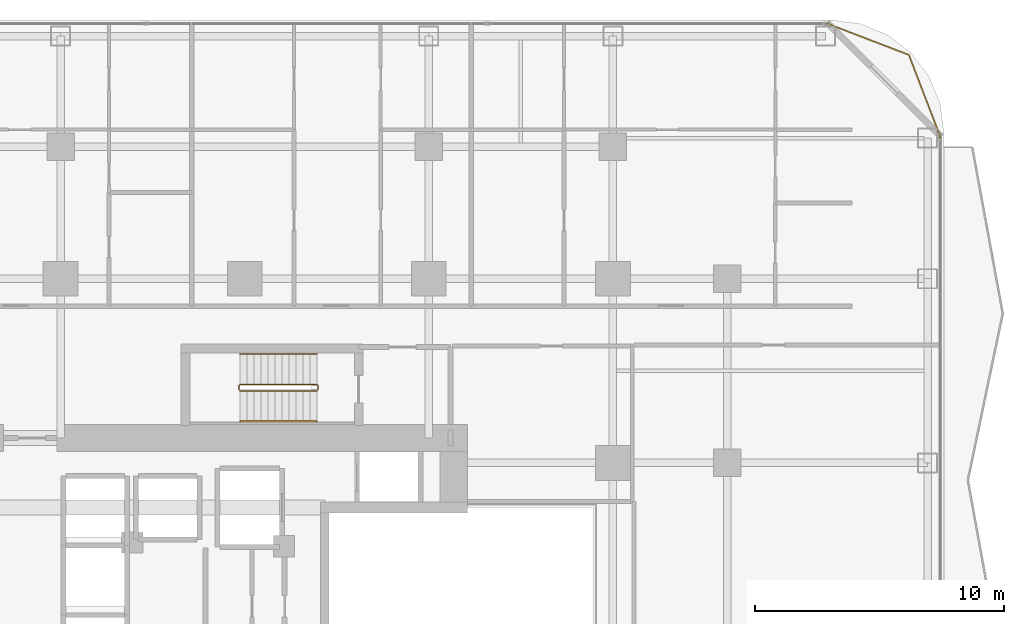
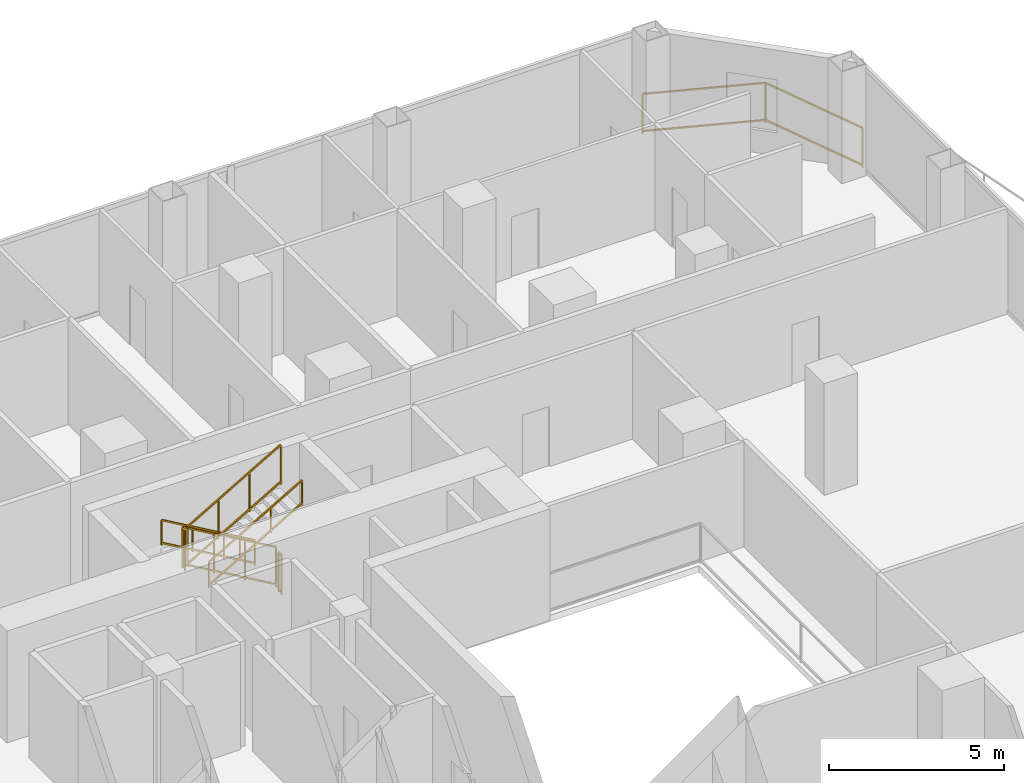
# One storey, part 28 of 28: 7 railings.
"""IFC4 building model written with IfcOpenShell, lengths in metres."""

from ifc_helpers import new_model, si_unit, direction, frame, origin, origin_2d, place, context, subcontext, project, spatial, rectangle, extrude, material, type_object, element, save


model = new_model("IFC4")

# Units and contexts
model_context = context("Model", 3, precision=1e-05, world=origin(), true_north=direction((0.0, 1.0)))
body_context = subcontext(model_context, "Body", "Model", "MODEL_VIEW")
ifc_project = project(units=[si_unit("LENGTHUNIT", "METRE"), si_unit("AREAUNIT", "SQUARE_METRE"), si_unit("VOLUMEUNIT", "CUBIC_METRE"), si_unit("PLANEANGLEUNIT", "RADIAN"), si_unit("MASSUNIT", "GRAM", prefix="KILO")], contexts=[model_context])

# Site, building, storey
site_placement = place(None, origin())
site = spatial("IfcSite", under=ifc_project, at=site_placement, CompositionType="ELEMENT")
building_placement = place(site_placement, origin())
building = spatial("IfcBuilding", under=site, at=building_placement, Name="Khorvyn Point Tower", CompositionType="ELEMENT")
storey_placement = place(building_placement, frame((0.0, 0.0, 34.5)))
storey = spatial("IfcBuildingStorey", under=building, at=storey_placement, Name="L09", CompositionType="ELEMENT", Elevation=34.5)

# Railings
ifc_material_1 = material(Name="Anodised aluminium 6063-T6 and laminated safety glass", Category="aluminium")
railing_type_1 = type_object("IfcRailingType", Name="Laminated Glass and Aluminium Balcony Guardrail 1400", PredefinedType="BALUSTRADE", material=ifc_material_1)
railing_1_placement = place(storey_placement, frame((27.97412109375, 20.470703125, 0.0)))
element("IfcRailing", 1, at=railing_1_placement, inside=storey, type_object=railing_type_1, Name="L09 Rounded Corner Edge Guardrail NE", PredefinedType="BALUSTRADE", context=body_context, shape_type="SweptSolid", body=[
    extrude(rectangle(XDim=0.048095703125, YDim=0.048095703125, at=origin_2d()), frame((0.0, 0.0, 1.3759765625), z_axis=(-0.35841886047, 0.933560882031, 0.0), x_axis=(-0.933560882031, -0.35841886047, 0.0)), (0.0, 0.0, 1.0), 3.563232421875),
    extrude(rectangle(XDim=0.048095703125, YDim=0.048095703125, at=origin_2d()), frame((0.0, 0.0, 0.080078125), z_axis=(-0.35841886047, 0.933560882031, 0.0), x_axis=(-0.933560882031, -0.35841886047, 0.0)), (0.0, 0.0, 1.0), 3.563232421875),
    extrude(rectangle(XDim=0.048095703125, YDim=0.048095703125, at=origin_2d()), frame((-1.277099609375, 3.326416015625, 1.3759765625), z_axis=(-0.933575007025, 0.358382067435, 0.0), x_axis=(-0.358382067435, -0.933575007025, 0.0)), (0.0, 0.0, 1.0), 3.562744140625),
    extrude(rectangle(XDim=0.048095703125, YDim=0.048095703125, at=origin_2d()), frame((-1.277099609375, 3.326416015625, 0.080078125), z_axis=(-0.933575007025, 0.358382067435, 0.0), x_axis=(-0.358382067435, -0.933575007025, 0.0)), (0.0, 0.0, 1.0), 3.562744140625),
    extrude(rectangle(XDim=0.0419921875, YDim=0.0419921875, at=origin_2d()), origin(), (0.0, 0.0, 1.0), 1.351806640625),
    extrude(rectangle(XDim=0.0419921875, YDim=0.0419921875, at=origin_2d()), frame((-1.277099609375, 3.326416015625, 0.0)), (0.0, 0.0, 1.0), 1.351806640625),
    extrude(rectangle(XDim=0.0419921875, YDim=0.0419921875, at=origin_2d()), frame((-4.603271484375, 4.603271484375, 0.0)), (0.0, 0.0, 1.0), 1.351806640625),
])
ifc_material_2 = material(Name="Stainless steel 1.4301", Category="steel")
railing_type_2 = type_object("IfcRailingType", Name="Stainless Steel 304 Stair Pitch Handrail 900", PredefinedType="HANDRAIL", material=ifc_material_2)
railing_2_placement = place(storey_placement, frame((2.89990234375, 11.77001953125, 0.16259765625)))
element("IfcRailing", 2, at=railing_2_placement, inside=storey, type_object=railing_type_2, Name="L09 ST-02 stair handrail 1", PredefinedType="HANDRAIL", context=body_context, shape_type="SweptSolid", body=[
    extrude(rectangle(XDim=0.048095703125, YDim=0.048095703125, at=origin_2d()), frame((0.0, 0.0, 0.8759765625), z_axis=(-0.864903211148, 0.0, 0.501938676878), x_axis=(0.0, -1.0, 0.0)), (0.0, 0.0, 1.0), 3.560791015625),
    extrude(rectangle(XDim=0.048095703125, YDim=0.048095703125, at=origin_2d()), frame((0.0, 0.0, 0.080078125), z_axis=(-0.864903211148, 0.0, 0.501938676878), x_axis=(0.0, -1.0, 0.0)), (0.0, 0.0, 1.0), 3.560791015625),
    extrude(rectangle(XDim=0.0419921875, YDim=0.0419921875, at=origin_2d()), origin(), (0.0, 0.0, 1.0), 0.851806640625),
    extrude(rectangle(XDim=0.0419921875, YDim=0.0419921875, at=origin_2d()), frame((-1.026611328125, 0.0, 0.595703125)), (0.0, 0.0, 1.0), 0.851806640625),
    extrude(rectangle(XDim=0.0419921875, YDim=0.0419921875, at=origin_2d()), frame((-2.05322265625, 0.0, 1.191650390625)), (0.0, 0.0, 1.0), 0.851806640625),
    extrude(rectangle(XDim=0.0419921875, YDim=0.0419921875, at=origin_2d()), frame((-3.079833984375, 0.0, 1.787353515625)), (0.0, 0.0, 1.0), 0.851806640625),
])
railing_3_placement = place(storey_placement, frame((-0.179931640625, 9.070068359375, 2.112548828125)))
element("IfcRailing", 3, at=railing_3_placement, inside=storey, type_object=railing_type_2, Name="L09 ST-02 stair handrail 2", PredefinedType="HANDRAIL", context=body_context, shape_type="SweptSolid", body=[
    extrude(rectangle(XDim=0.048095703125, YDim=0.048095703125, at=origin_2d()), frame((0.0, 0.0, 0.8759765625), z_axis=(0.864903211148, 0.0, 0.501938676878), x_axis=(0.0, 1.0, 0.0)), (0.0, 0.0, 1.0), 3.560791015625),
    extrude(rectangle(XDim=0.048095703125, YDim=0.048095703125, at=origin_2d()), frame((0.0, 0.0, 0.080078125), z_axis=(0.864903211148, 0.0, 0.501938676878), x_axis=(0.0, 1.0, 0.0)), (0.0, 0.0, 1.0), 3.560791015625),
    extrude(rectangle(XDim=0.0419921875, YDim=0.0419921875, at=origin_2d()), origin(), (0.0, 0.0, 1.0), 0.851806640625),
    extrude(rectangle(XDim=0.0419921875, YDim=0.0419921875, at=origin_2d()), frame((1.026611328125, 0.0, 0.595703125)), (0.0, 0.0, 1.0), 0.851806640625),
    extrude(rectangle(XDim=0.0419921875, YDim=0.0419921875, at=origin_2d()), frame((2.05322265625, 0.0, 1.191650390625)), (0.0, 0.0, 1.0), 0.851806640625),
    extrude(rectangle(XDim=0.0419921875, YDim=0.0419921875, at=origin_2d()), frame((3.079833984375, 0.0, 1.787353515625)), (0.0, 0.0, 1.0), 0.851806640625),
])
railing_type_3 = type_object("IfcRailingType", Name="Stainless Steel 304 Stair Well Guardrail 1400", PredefinedType="GUARDRAIL", material=ifc_material_2)
railing_4_placement = place(storey_placement, frame((2.89990234375, 10.550048828125, 0.16259765625)))
element("IfcRailing", 4, at=railing_4_placement, inside=storey, type_object=railing_type_3, Name="L09 ST-02 stair guard 1", PredefinedType="GUARDRAIL", context=body_context, shape_type="SweptSolid", body=[
    extrude(rectangle(XDim=0.048095703125, YDim=0.048095703125, at=origin_2d()), frame((0.0, 0.0, 1.3759765625), z_axis=(-0.864903211148, 0.0, 0.501938676878), x_axis=(0.0, -1.0, 0.0)), (0.0, 0.0, 1.0), 3.560791015625),
    extrude(rectangle(XDim=0.048095703125, YDim=0.048095703125, at=origin_2d()), frame((0.0, 0.0, 0.080078125), z_axis=(-0.864903211148, 0.0, 0.501938676878), x_axis=(0.0, -1.0, 0.0)), (0.0, 0.0, 1.0), 3.560791015625),
    extrude(rectangle(XDim=0.0419921875, YDim=0.0419921875, at=origin_2d()), origin(), (0.0, 0.0, 1.0), 1.351806640625),
    extrude(rectangle(XDim=0.0419921875, YDim=0.0419921875, at=origin_2d()), frame((-1.026611328125, 0.0, 0.595703125)), (0.0, 0.0, 1.0), 1.351806640625),
    extrude(rectangle(XDim=0.0419921875, YDim=0.0419921875, at=origin_2d()), frame((-2.05322265625, 0.0, 1.191650390625)), (0.0, 0.0, 1.0), 1.351806640625),
    extrude(rectangle(XDim=0.0419921875, YDim=0.0419921875, at=origin_2d()), frame((-3.079833984375, 0.0, 1.787353515625)), (0.0, 0.0, 1.0), 1.351806640625),
])
railing_5_placement = place(storey_placement, frame((-0.22998046875, 10.5, 1.949951171875)))
element("IfcRailing", 5, at=railing_5_placement, inside=storey, type_object=railing_type_3, Name="L09 ST-02 stair guard 2", PredefinedType="GUARDRAIL", context=body_context, shape_type="SweptSolid", body=[
    extrude(rectangle(XDim=0.048095703125, YDim=0.048095703125, at=origin_2d()), frame((0.0, 0.0, 1.3759765625), z_axis=(0.0, -1.0, 0.0), x_axis=(1.0, 0.0, 0.0)), (0.0, 0.0, 1.0), 0.159912109375),
    extrude(rectangle(XDim=0.048095703125, YDim=0.048095703125, at=origin_2d()), frame((0.0, 0.0, 0.080078125), z_axis=(0.0, -1.0, 0.0), x_axis=(1.0, 0.0, 0.0)), (0.0, 0.0, 1.0), 0.159912109375),
    extrude(rectangle(XDim=0.0419921875, YDim=0.0419921875, at=origin_2d()), origin(), (0.0, 0.0, 1.0), 1.351806640625),
    extrude(rectangle(XDim=0.0419921875, YDim=0.0419921875, at=origin_2d()), frame((0.0, -0.159912109375, 0.0)), (0.0, 0.0, 1.0), 1.351806640625),
])
railing_6_placement = place(storey_placement, frame((-0.179931640625, 10.2900390625, 2.112548828125)))
element("IfcRailing", 6, at=railing_6_placement, inside=storey, type_object=railing_type_3, Name="L09 ST-02 stair guard 3", PredefinedType="GUARDRAIL", context=body_context, shape_type="SweptSolid", body=[
    extrude(rectangle(XDim=0.048095703125, YDim=0.048095703125, at=origin_2d()), frame((0.0, 0.0, 1.3759765625), z_axis=(0.864903211148, 0.0, 0.501938676878), x_axis=(0.0, 1.0, 0.0)), (0.0, 0.0, 1.0), 3.560791015625),
    extrude(rectangle(XDim=0.048095703125, YDim=0.048095703125, at=origin_2d()), frame((0.0, 0.0, 0.080078125), z_axis=(0.864903211148, 0.0, 0.501938676878), x_axis=(0.0, 1.0, 0.0)), (0.0, 0.0, 1.0), 3.560791015625),
    extrude(rectangle(XDim=0.0419921875, YDim=0.0419921875, at=origin_2d()), origin(), (0.0, 0.0, 1.0), 1.351806640625),
    extrude(rectangle(XDim=0.0419921875, YDim=0.0419921875, at=origin_2d()), frame((1.026611328125, 0.0, 0.595703125)), (0.0, 0.0, 1.0), 1.351806640625),
    extrude(rectangle(XDim=0.0419921875, YDim=0.0419921875, at=origin_2d()), frame((2.05322265625, 0.0, 1.191650390625)), (0.0, 0.0, 1.0), 1.351806640625),
    extrude(rectangle(XDim=0.0419921875, YDim=0.0419921875, at=origin_2d()), frame((3.079833984375, 0.0, 1.787353515625)), (0.0, 0.0, 1.0), 1.351806640625),
])
railing_7_placement = place(storey_placement, frame((2.949951171875, 10.5, 0.0)))
element("IfcRailing", 7, at=railing_7_placement, inside=storey, type_object=railing_type_3, Name="L09 ST-02 stair guard 4", PredefinedType="GUARDRAIL", context=body_context, shape_type="SweptSolid", body=[
    extrude(rectangle(XDim=0.048095703125, YDim=0.048095703125, at=origin_2d()), frame((0.0, 0.0, 1.3759765625), z_axis=(0.0, -1.0, 0.0), x_axis=(1.0, 0.0, 0.0)), (0.0, 0.0, 1.0), 0.159912109375),
    extrude(rectangle(XDim=0.048095703125, YDim=0.048095703125, at=origin_2d()), frame((0.0, 0.0, 0.080078125), z_axis=(0.0, -1.0, 0.0), x_axis=(1.0, 0.0, 0.0)), (0.0, 0.0, 1.0), 0.159912109375),
    extrude(rectangle(XDim=0.0419921875, YDim=0.0419921875, at=origin_2d()), origin(), (0.0, 0.0, 1.0), 1.351806640625),
    extrude(rectangle(XDim=0.0419921875, YDim=0.0419921875, at=origin_2d()), frame((0.0, -0.159912109375, 0.0)), (0.0, 0.0, 1.0), 1.351806640625),
])

save(model, "model.ifc")
